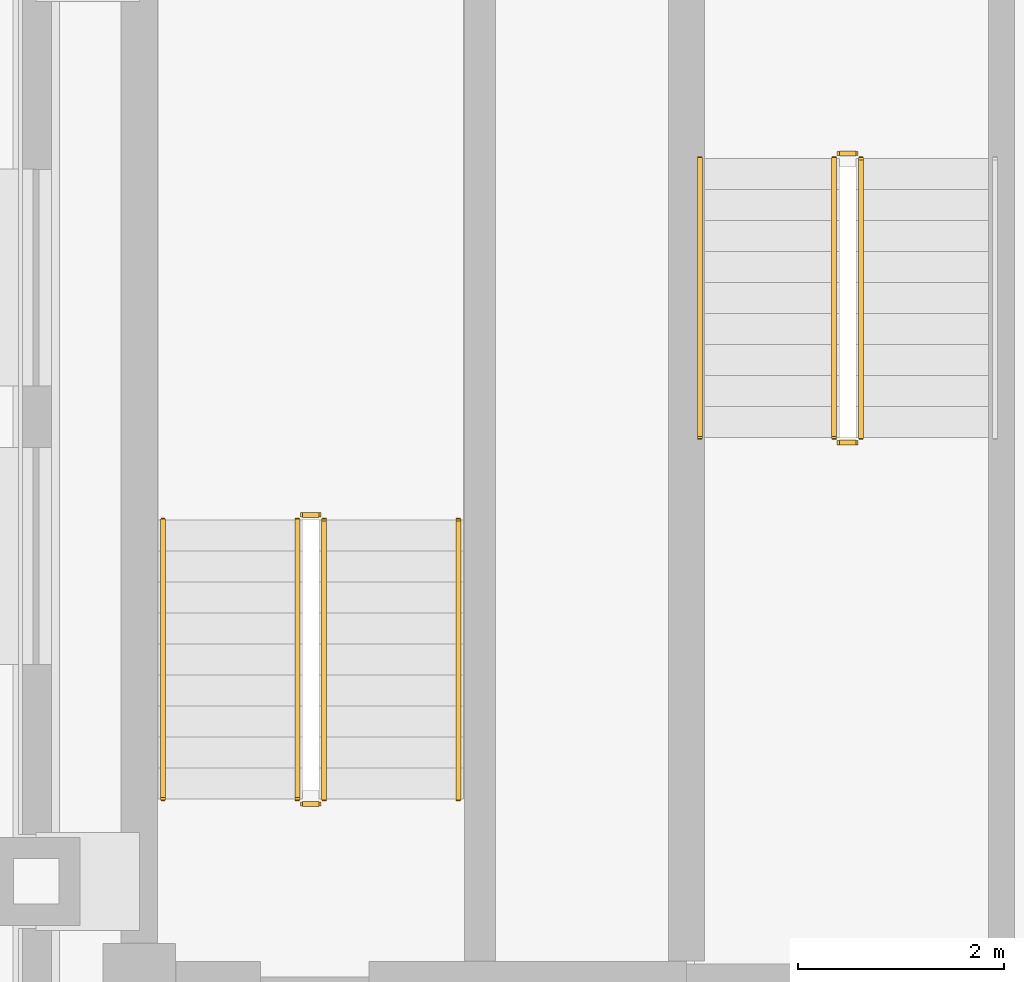
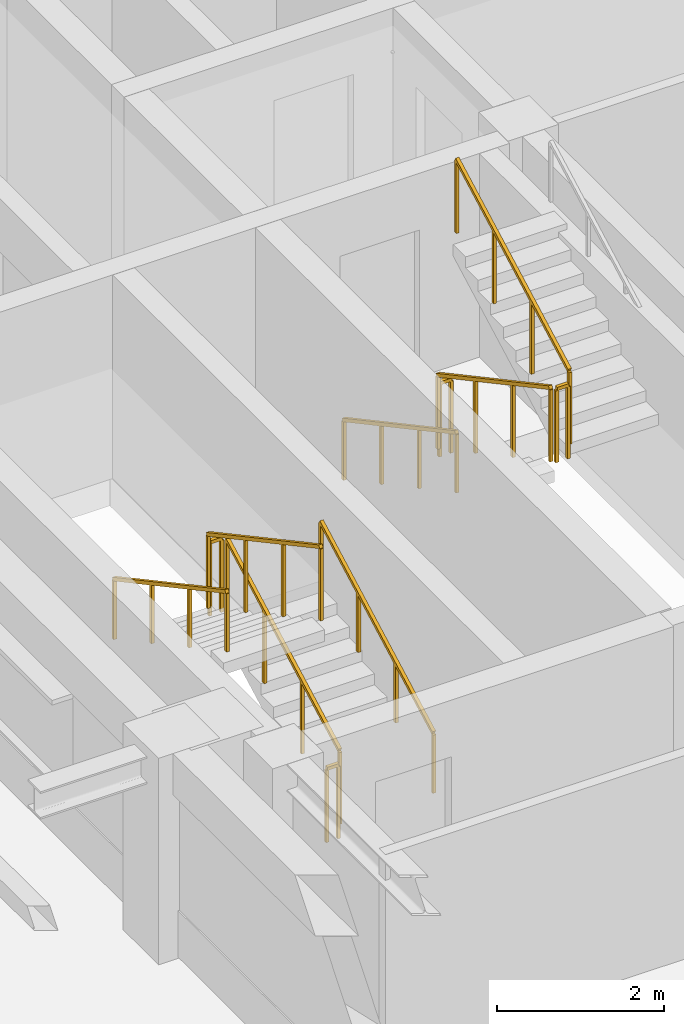
# One storey, part 11 of 14: 11 railings.
"""IFC4 building model written with IfcOpenShell, lengths in metres."""

import ifcopenshell
import ifcopenshell.guid

model = None  # the IFC model being written
_history = None  # IfcOwnerHistory: only IFC2X3 demands one
_inside = {}  # id of a spatial element -> (the spatial element, [elements in it])
_under = {}  # id of a project, library or spatial element -> (it, [spatial elements below it])
_declared = {}  # id of a project -> (the project, [libraries it declares])
_typed = {}  # id of a type object -> (the type object, [elements of that type])
_made_of = {}  # id of a material, layer set ... -> (it, [elements and type objects made of it])


def new_model(schema):
    """Start an empty IFC model of exactly this schema.

    Asked for "IFC4X3", IfcOpenShell would pick the latest addendum, in which some entities
    have other attributes; the version numbers below select the first issue.
    IFC2X3 requires an IfcOwnerHistory on every rooted entity: one is made here for all.
    """
    global model, _history
    if schema == "IFC4X3":
        model = ifcopenshell.file(schema_version=(4, 3, 0, 0))
    else:
        model = ifcopenshell.file(schema=schema)
    _inside.clear()
    _under.clear()
    _declared.clear()
    _typed.clear()
    _made_of.clear()
    _history = None
    if model.schema == "IFC2X3":
        org = make("IfcOrganization", Name="unknown")
        user = make(
            "IfcPersonAndOrganization",
            ThePerson=make("IfcPerson", FamilyName="unknown"),
            TheOrganization=org,
        )
        app = make(
            "IfcApplication",
            ApplicationDeveloper=org,
            Version="unknown",
            ApplicationFullName="unknown",
            ApplicationIdentifier="unknown",
        )
        _history = make(
            "IfcOwnerHistory",
            OwningUser=user,
            OwningApplication=app,
            ChangeAction="ADDED",
            CreationDate=0,
        )
    return model


def make(cls, **values):
    """One entity of the class cls with the attributes given. An attribute that is None is left unset."""
    return model.create_entity(
        cls, **{name: value for name, value in values.items() if value is not None}
    )


def rooted(cls, **values):
    """An entity with a GlobalId (a new one), such as an element, a storey or a relation."""
    return make(cls, GlobalId=ifcopenshell.guid.new(), OwnerHistory=_history, **values)


def si_unit(unit_type, name, prefix=None):
    """IfcSIUnit, for example si_unit("LENGTHUNIT", "METRE", prefix="MILLI")."""
    return make("IfcSIUnit", UnitType=unit_type, Prefix=prefix, Name=name)


def assignment(units):
    """IfcUnitAssignment: the units of a project."""
    return None if units is None else make("IfcUnitAssignment", Units=units)


def point(xyz):
    """IfcCartesianPoint."""
    return None if xyz is None else make("IfcCartesianPoint", Coordinates=xyz)


def direction(xyz):
    """IfcDirection."""
    return None if xyz is None else make("IfcDirection", DirectionRatios=xyz)


def frame(location, z_axis=None, x_axis=None):
    """IfcAxis2Placement3D, a coordinate frame: its origin and axes. An axis left out is left unset."""
    return make(
        "IfcAxis2Placement3D",
        Location=point(location),
        Axis=direction(z_axis),
        RefDirection=direction(x_axis),
    )


def frame_2d(location, x_axis=None):
    """IfcAxis2Placement2D, a coordinate frame in the plane: its origin and x axis."""
    return make(
        "IfcAxis2Placement2D", Location=point(location), RefDirection=direction(x_axis)
    )


def origin():
    """The frame at (0, 0, 0) with its axes left unset."""
    return frame((0.0, 0.0, 0.0))


def origin_2d():
    """The frame at (0, 0) in the plane with its x axis left unset."""
    return frame_2d((0.0, 0.0))


def place(relative_to, where):
    """IfcLocalPlacement: puts the frame where relative to a parent placement (None: the world)."""
    return make(
        "IfcLocalPlacement", PlacementRelTo=relative_to, RelativePlacement=where
    )


def context(
    kind, dimensions, precision=None, world=None, true_north=None, identifier=None
):
    """IfcGeometricRepresentationContext, for example the 3D "Model" context."""
    return make(
        "IfcGeometricRepresentationContext",
        ContextIdentifier=identifier,
        ContextType=kind,
        CoordinateSpaceDimension=dimensions,
        Precision=precision,
        WorldCoordinateSystem=world,
        TrueNorth=true_north,
    )


def subcontext(parent, identifier, kind, view, scale=None):
    """IfcGeometricRepresentationSubContext, for example "Body" below "Model"."""
    return make(
        "IfcGeometricRepresentationSubContext",
        ContextIdentifier=identifier,
        ContextType=kind,
        ParentContext=parent,
        TargetScale=scale,
        TargetView=view,
    )


def project(units=None, contexts=None):
    """IfcProject with its units and contexts."""
    return rooted(
        "IfcProject",
        Name="project",
        RepresentationContexts=contexts,
        UnitsInContext=assignment(units),
    )


def spatial(cls, under=None, at=None, **own):
    """A site, building, storey or space (cls), placed at a placement, below another one or the project."""
    s = rooted(cls, ObjectPlacement=at, **own)
    if under is not None:
        _under.setdefault(under.id(), (under, []))[1].append(s)
    return s


def profile(cls, at=None, kind="AREA", **sizes):
    """A parametric profile (cls). Its sizes go by their IFC names, for example OverallWidth=200.0."""
    return make(cls, ProfileType=kind, Position=at, **sizes)


def rectangle(**sizes):
    """IfcRectangleProfileDef."""
    return profile("IfcRectangleProfileDef", **sizes)


def extrude(swept, where, along, depth):
    """IfcExtrudedAreaSolid: the profile swept, set in the frame where, extruded along a direction by depth."""
    return make(
        "IfcExtrudedAreaSolid",
        SweptArea=swept,
        Position=where,
        ExtrudedDirection=direction(along),
        Depth=depth,
    )


def shape(context_of_items, identifier, shape_type, items):
    """IfcShapeRepresentation: the items that make up one representation, for example the "Body"."""
    return make(
        "IfcShapeRepresentation",
        ContextOfItems=context_of_items,
        RepresentationIdentifier=identifier,
        RepresentationType=shape_type,
        Items=items,
    )


def material(Name=None, Category=None):
    """IfcMaterial."""
    return make("IfcMaterial", Name=Name, Category=Category)


def made_of(thing, what):
    """Note that an element or type object is made of a material, layer set ...; save() writes the relation."""
    if what is not None:
        _made_of.setdefault(what.id(), (what, []))[1].append(thing)
    return thing


def type_object(cls, material=None, **own):
    """A type object (cls), such as IfcWallType, which elements share."""
    return made_of(rooted(cls, **own), material)


def element(
    cls,
    number,
    at=None,
    inside=None,
    cuts=None,
    type_object=None,
    material=None,
    context=None,
    identifier="Body",
    shape_type=None,
    held_by="IfcProductDefinitionShape",
    body=None,
    shapes=None,
    **own,
):
    """One element of the class cls, such as IfcWall. Its Tag is "e" and its number.

    at: its placement. inside: the storey or other place that contains it. cuts: it is an
    opening in that element (IfcRelVoidsElement). A single representation is given by context,
    identifier, shape_type and body (its items); several are given by shapes. held_by: the class
    of the entity that holds the representations. save() writes the other relations.
    """
    e = rooted(cls, Tag="e%d" % number, ObjectPlacement=at, **own)
    if body is not None:
        shapes = [shape(context, identifier, shape_type, body)]
    if shapes is not None:
        e.Representation = make(held_by, Representations=shapes)
    if inside is not None:
        _inside.setdefault(inside.id(), (inside, []))[1].append(e)
    if cuts is not None:
        rooted(
            "IfcRelVoidsElement", RelatingBuildingElement=cuts, RelatedOpeningElement=e
        )
    if type_object is not None:
        _typed.setdefault(type_object.id(), (type_object, []))[1].append(e)
    return made_of(e, material)


def aggregate(whole, parts):
    """IfcRelAggregates: a whole, such as a stair, and the parts it consists of."""
    return rooted("IfcRelAggregates", RelatingObject=whole, RelatedObjects=parts)


def save(model, path):
    """Write the relations noted so far, then the file.

    IfcRelAggregates (storeys below a building ...), IfcRelContainedInSpatialStructure (elements
    in a storey), IfcRelDefinesByType, IfcRelAssociatesMaterial and IfcRelDeclares: one each for
    every whole, place, type object, material and project.
    """
    for whole, parts in _under.values():
        aggregate(whole, parts)
    for where, things in _inside.values():
        rooted(
            "IfcRelContainedInSpatialStructure",
            RelatedElements=things,
            RelatingStructure=where,
        )
    for kind, things in _typed.values():
        rooted("IfcRelDefinesByType", RelatedObjects=things, RelatingType=kind)
    for what, things in _made_of.values():
        rooted("IfcRelAssociatesMaterial", RelatedObjects=things, RelatingMaterial=what)
    for by, libraries in _declared.values():
        rooted("IfcRelDeclares", RelatingContext=by, RelatedDefinitions=libraries)
    model.write(path)


model = new_model("IFC4")

# Units and contexts
model_context = context("Model", 3, precision=1e-05, world=origin(), true_north=direction((0.0, 1.0)))
body_context = subcontext(model_context, "Body", "Model", "MODEL_VIEW")
ifc_project = project(units=[si_unit("LENGTHUNIT", "METRE"), si_unit("AREAUNIT", "SQUARE_METRE"), si_unit("VOLUMEUNIT", "CUBIC_METRE"), si_unit("PLANEANGLEUNIT", "RADIAN"), si_unit("MASSUNIT", "GRAM", prefix="KILO")], contexts=[model_context])

# Site, building, storey
site_placement = place(None, origin())
site = spatial("IfcSite", under=ifc_project, at=site_placement, CompositionType="ELEMENT")
building_placement = place(site_placement, origin())
building = spatial("IfcBuilding", under=site, at=building_placement, Name="Zulmaris Gate Convention Tower", CompositionType="ELEMENT")
storey_placement = place(building_placement, frame((0.0, 0.0, 226.820068359375)))
storey = spatial("IfcBuildingStorey", under=building, at=storey_placement, Name="L59", CompositionType="ELEMENT", Elevation=226.820068359375)

# Railings
ifc_material_1 = material(Name="Painted Galvanised Steel", Category="steel")
railing_type_1 = type_object("IfcRailingType", Name="RL-STG-1150", PredefinedType="GUARDRAIL", material=ifc_material_1)
railing_1_placement = place(storey_placement, frame((-13.27001953125, -2.0, 0.16162109375)))
element("IfcRailing", 1, at=railing_1_placement, inside=storey, type_object=railing_type_1, Name="L59 ST-1 stair guard 1", PredefinedType="GUARDRAIL", context=body_context, shape_type="SweptSolid", body=[
    extrude(rectangle(XDim=0.048095703125, YDim=0.048095703125, at=origin_2d()), frame((0.0, 0.0, 1.076171875), z_axis=(0.0, -0.880532452117, 0.47398586558), x_axis=(1.0, 0.0, 0.0)), (0.0, 0.0, 1.0), 3.066162109375),
    extrude(rectangle(XDim=0.0419921875, YDim=0.0419921875, at=origin_2d()), origin(), (0.0, 0.0, 1.0), 1.052001953125),
    extrude(rectangle(XDim=0.0419921875, YDim=0.0419921875, at=origin_2d()), frame((0.0, -0.89990234375, 0.484375)), (0.0, 0.0, 1.0), 1.052001953125),
    extrude(rectangle(XDim=0.0419921875, YDim=0.0419921875, at=origin_2d()), frame((0.0, -1.800048828125, 0.968994140625)), (0.0, 0.0, 1.0), 1.052001953125),
    extrude(rectangle(XDim=0.0419921875, YDim=0.0419921875, at=origin_2d()), frame((0.0, -2.699951171875, 1.453369140625)), (0.0, 0.0, 1.0), 1.052001953125),
])
railing_2_placement = place(storey_placement, frame((-13.219970703125, -4.75, 1.614990234375)))
element("IfcRailing", 2, at=railing_2_placement, inside=storey, type_object=railing_type_1, Name="L59 ST-1 stair guard 2", PredefinedType="GUARDRAIL", context=body_context, shape_type="SweptSolid", body=[
    extrude(rectangle(XDim=0.048095703125, YDim=0.048095703125, at=origin_2d()), frame((0.0, 0.0, 1.076171875), z_axis=(1.0, 0.0, 0.0), x_axis=(0.0, 1.0, 0.0)), (0.0, 0.0, 1.0), 0.159912109375),
    extrude(rectangle(XDim=0.0419921875, YDim=0.0419921875, at=origin_2d()), origin(), (0.0, 0.0, 1.0), 1.052001953125),
    extrude(rectangle(XDim=0.0419921875, YDim=0.0419921875, at=origin_2d()), frame((0.159912109375, 0.0, 0.0)), (0.0, 0.0, 1.0), 1.052001953125),
])
railing_3_placement = place(storey_placement, frame((-13.010009765625, -4.699951171875, 1.7763671875)))
element("IfcRailing", 3, at=railing_3_placement, inside=storey, type_object=railing_type_1, Name="L59 ST-1 stair guard 3", PredefinedType="GUARDRAIL", context=body_context, shape_type="SweptSolid", body=[
    extrude(rectangle(XDim=0.048095703125, YDim=0.048095703125, at=origin_2d()), frame((0.0, 0.0, 1.076171875), z_axis=(0.0, 0.880499220447, 0.474047595492), x_axis=(-1.0, 0.0, 0.0)), (0.0, 0.0, 1.0), 3.06640625),
    extrude(rectangle(XDim=0.0419921875, YDim=0.0419921875, at=origin_2d()), origin(), (0.0, 0.0, 1.0), 1.052001953125),
    extrude(rectangle(XDim=0.0419921875, YDim=0.0419921875, at=origin_2d()), frame((0.0, 0.89990234375, 0.484619140625)), (0.0, 0.0, 1.0), 1.052001953125),
    extrude(rectangle(XDim=0.0419921875, YDim=0.0419921875, at=origin_2d()), frame((0.0, 1.800048828125, 0.968994140625)), (0.0, 0.0, 1.0), 1.052001953125),
    extrude(rectangle(XDim=0.0419921875, YDim=0.0419921875, at=origin_2d()), frame((0.0, 2.699951171875, 1.45361328125)), (0.0, 0.0, 1.0), 1.052001953125),
])
railing_4_placement = place(storey_placement, frame((-13.219970703125, -1.949951171875, 0.0)))
element("IfcRailing", 4, at=railing_4_placement, inside=storey, type_object=railing_type_1, Name="L59 ST-1 stair guard 4", PredefinedType="GUARDRAIL", context=body_context, shape_type="SweptSolid", body=[
    extrude(rectangle(XDim=0.048095703125, YDim=0.048095703125, at=origin_2d()), frame((0.0, 0.0, 1.076171875), z_axis=(1.0, 0.0, 0.0), x_axis=(0.0, 1.0, 0.0)), (0.0, 0.0, 1.0), 0.159912109375),
    extrude(rectangle(XDim=0.0419921875, YDim=0.0419921875, at=origin_2d()), origin(), (0.0, 0.0, 1.0), 1.052001953125),
    extrude(rectangle(XDim=0.0419921875, YDim=0.0419921875, at=origin_2d()), frame((0.159912109375, 0.0, 0.0)), (0.0, 0.0, 1.0), 1.052001953125),
])
railing_5_placement = place(storey_placement, frame((-18.2099609375, -8.199951171875, 0.16162109375)))
element("IfcRailing", 5, at=railing_5_placement, inside=storey, type_object=railing_type_1, Name="L59 ST-3 stair guard 1", PredefinedType="GUARDRAIL", context=body_context, shape_type="SweptSolid", body=[
    extrude(rectangle(XDim=0.048095703125, YDim=0.048095703125, at=origin_2d()), frame((0.0, 0.0, 1.076171875), z_axis=(0.0, 0.880532452117, 0.47398586558), x_axis=(-1.0, 0.0, 0.0)), (0.0, 0.0, 1.0), 3.066162109375),
    extrude(rectangle(XDim=0.0419921875, YDim=0.0419921875, at=origin_2d()), origin(), (0.0, 0.0, 1.0), 1.052001953125),
    extrude(rectangle(XDim=0.0419921875, YDim=0.0419921875, at=origin_2d()), frame((0.0, 0.89990234375, 0.484375)), (0.0, 0.0, 1.0), 1.052001953125),
    extrude(rectangle(XDim=0.0419921875, YDim=0.0419921875, at=origin_2d()), frame((0.0, 1.800048828125, 0.968994140625)), (0.0, 0.0, 1.0), 1.052001953125),
    extrude(rectangle(XDim=0.0419921875, YDim=0.0419921875, at=origin_2d()), frame((0.0, 2.699951171875, 1.453369140625)), (0.0, 0.0, 1.0), 1.052001953125),
])
railing_6_placement = place(storey_placement, frame((-18.260009765625, -5.449951171875, 1.614990234375)))
element("IfcRailing", 6, at=railing_6_placement, inside=storey, type_object=railing_type_1, Name="L59 ST-3 stair guard 2", PredefinedType="GUARDRAIL", context=body_context, shape_type="SweptSolid", body=[
    extrude(rectangle(XDim=0.048095703125, YDim=0.048095703125, at=origin_2d()), frame((0.0, 0.0, 1.076171875), z_axis=(-1.0, 0.0, 0.0), x_axis=(0.0, -1.0, 0.0)), (0.0, 0.0, 1.0), 0.159912109375),
    extrude(rectangle(XDim=0.0419921875, YDim=0.0419921875, at=origin_2d()), origin(), (0.0, 0.0, 1.0), 1.052001953125),
    extrude(rectangle(XDim=0.0419921875, YDim=0.0419921875, at=origin_2d()), frame((-0.159912109375, 0.0, 0.0)), (0.0, 0.0, 1.0), 1.052001953125),
])
railing_7_placement = place(storey_placement, frame((-18.469970703125, -5.5, 1.7763671875)))
element("IfcRailing", 7, at=railing_7_placement, inside=storey, type_object=railing_type_1, Name="L59 ST-3 stair guard 3", PredefinedType="GUARDRAIL", context=body_context, shape_type="SweptSolid", body=[
    extrude(rectangle(XDim=0.048095703125, YDim=0.048095703125, at=origin_2d()), frame((0.0, 0.0, 1.076171875), z_axis=(0.0, -0.880499220447, 0.474047595492), x_axis=(1.0, 0.0, 0.0)), (0.0, 0.0, 1.0), 3.06640625),
    extrude(rectangle(XDim=0.0419921875, YDim=0.0419921875, at=origin_2d()), origin(), (0.0, 0.0, 1.0), 1.052001953125),
    extrude(rectangle(XDim=0.0419921875, YDim=0.0419921875, at=origin_2d()), frame((0.0, -0.89990234375, 0.484619140625)), (0.0, 0.0, 1.0), 1.052001953125),
    extrude(rectangle(XDim=0.0419921875, YDim=0.0419921875, at=origin_2d()), frame((0.0, -1.800048828125, 0.968994140625)), (0.0, 0.0, 1.0), 1.052001953125),
    extrude(rectangle(XDim=0.0419921875, YDim=0.0419921875, at=origin_2d()), frame((0.0, -2.699951171875, 1.45361328125)), (0.0, 0.0, 1.0), 1.052001953125),
])
railing_8_placement = place(storey_placement, frame((-18.260009765625, -8.25, 0.0)))
element("IfcRailing", 8, at=railing_8_placement, inside=storey, type_object=railing_type_1, Name="L59 ST-3 stair guard 4", PredefinedType="GUARDRAIL", context=body_context, shape_type="SweptSolid", body=[
    extrude(rectangle(XDim=0.048095703125, YDim=0.048095703125, at=origin_2d()), frame((0.0, 0.0, 1.076171875), z_axis=(-1.0, 0.0, 0.0), x_axis=(0.0, -1.0, 0.0)), (0.0, 0.0, 1.0), 0.159912109375),
    extrude(rectangle(XDim=0.0419921875, YDim=0.0419921875, at=origin_2d()), origin(), (0.0, 0.0, 1.0), 1.052001953125),
    extrude(rectangle(XDim=0.0419921875, YDim=0.0419921875, at=origin_2d()), frame((-0.159912109375, 0.0, 0.0)), (0.0, 0.0, 1.0), 1.052001953125),
])
ifc_material_2 = material(Name="Brushed Stainless Steel", Category="steel")
railing_type_2 = type_object("IfcRailingType", Name="RL-STH-900", PredefinedType="HANDRAIL", material=ifc_material_2)
railing_9_placement = place(storey_placement, frame((-14.570068359375, -2.0, 0.16162109375)))
element("IfcRailing", 9, at=railing_9_placement, inside=storey, type_object=railing_type_2, Name="L59 ST-1 stair handrail 1", PredefinedType="HANDRAIL", context=body_context, shape_type="SweptSolid", body=[
    extrude(rectangle(XDim=0.048095703125, YDim=0.048095703125, at=origin_2d()), frame((0.0, 0.0, 0.8759765625), z_axis=(0.0, -0.880532452117, 0.47398586558), x_axis=(1.0, 0.0, 0.0)), (0.0, 0.0, 1.0), 3.066162109375),
    extrude(rectangle(XDim=0.0419921875, YDim=0.0419921875, at=origin_2d()), origin(), (0.0, 0.0, 1.0), 0.851806640625),
    extrude(rectangle(XDim=0.0419921875, YDim=0.0419921875, at=origin_2d()), frame((0.0, -0.89990234375, 0.484375)), (0.0, 0.0, 1.0), 0.851806640625),
    extrude(rectangle(XDim=0.0419921875, YDim=0.0419921875, at=origin_2d()), frame((0.0, -1.800048828125, 0.968994140625)), (0.0, 0.0, 1.0), 0.851806640625),
    extrude(rectangle(XDim=0.0419921875, YDim=0.0419921875, at=origin_2d()), frame((0.0, -2.699951171875, 1.453369140625)), (0.0, 0.0, 1.0), 0.851806640625),
])
railing_10_placement = place(storey_placement, frame((-16.909912109375, -8.199951171875, 0.16162109375)))
element("IfcRailing", 10, at=railing_10_placement, inside=storey, type_object=railing_type_2, Name="L59 ST-3 stair handrail 1", PredefinedType="HANDRAIL", context=body_context, shape_type="SweptSolid", body=[
    extrude(rectangle(XDim=0.048095703125, YDim=0.048095703125, at=origin_2d()), frame((0.0, 0.0, 0.8759765625), z_axis=(0.0, 0.880532452117, 0.47398586558), x_axis=(-1.0, 0.0, 0.0)), (0.0, 0.0, 1.0), 3.066162109375),
    extrude(rectangle(XDim=0.0419921875, YDim=0.0419921875, at=origin_2d()), origin(), (0.0, 0.0, 1.0), 0.851806640625),
    extrude(rectangle(XDim=0.0419921875, YDim=0.0419921875, at=origin_2d()), frame((0.0, 0.89990234375, 0.484375)), (0.0, 0.0, 1.0), 0.851806640625),
    extrude(rectangle(XDim=0.0419921875, YDim=0.0419921875, at=origin_2d()), frame((0.0, 1.800048828125, 0.968994140625)), (0.0, 0.0, 1.0), 0.851806640625),
    extrude(rectangle(XDim=0.0419921875, YDim=0.0419921875, at=origin_2d()), frame((0.0, 2.699951171875, 1.453369140625)), (0.0, 0.0, 1.0), 0.851806640625),
])
railing_11_placement = place(storey_placement, frame((-19.77001953125, -5.5, 1.7763671875)))
element("IfcRailing", 11, at=railing_11_placement, inside=storey, type_object=railing_type_2, Name="L59 ST-3 stair handrail 2", PredefinedType="HANDRAIL", context=body_context, shape_type="SweptSolid", body=[
    extrude(rectangle(XDim=0.048095703125, YDim=0.048095703125, at=origin_2d()), frame((0.0, 0.0, 0.8759765625), z_axis=(0.0, -0.880499220447, 0.474047595492), x_axis=(1.0, 0.0, 0.0)), (0.0, 0.0, 1.0), 3.06640625),
    extrude(rectangle(XDim=0.0419921875, YDim=0.0419921875, at=origin_2d()), origin(), (0.0, 0.0, 1.0), 0.851806640625),
    extrude(rectangle(XDim=0.0419921875, YDim=0.0419921875, at=origin_2d()), frame((0.0, -0.89990234375, 0.484619140625)), (0.0, 0.0, 1.0), 0.851806640625),
    extrude(rectangle(XDim=0.0419921875, YDim=0.0419921875, at=origin_2d()), frame((0.0, -1.800048828125, 0.968994140625)), (0.0, 0.0, 1.0), 0.851806640625),
    extrude(rectangle(XDim=0.0419921875, YDim=0.0419921875, at=origin_2d()), frame((0.0, -2.699951171875, 1.45361328125)), (0.0, 0.0, 1.0), 0.851806640625),
])

save(model, "model.ifc")
